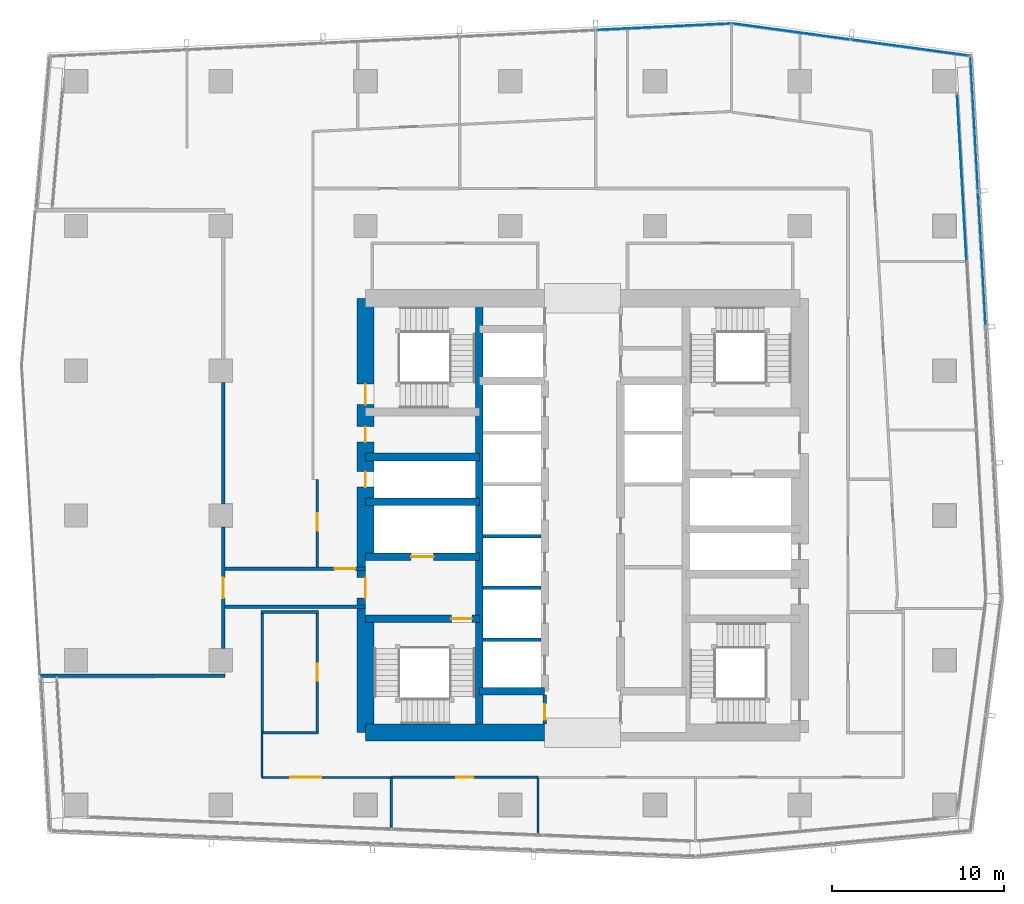
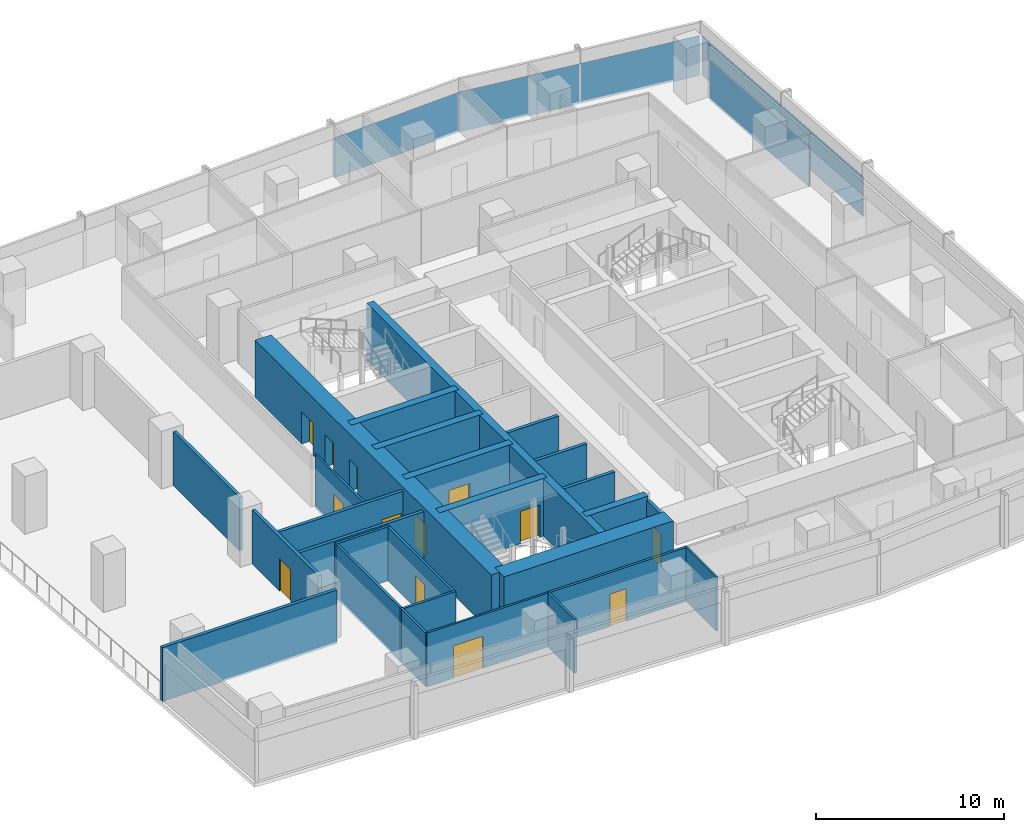
# One storey, part 24 of 35: 27 walls, 13 doors, 6 plates, 13 openings, 4 elements without a shape of their own.
"""IFC4 building model written with IfcOpenShell, lengths in metres."""

import ifcopenshell
import ifcopenshell.guid

model = None  # the IFC model being written
_history = None  # IfcOwnerHistory: only IFC2X3 demands one
_inside = {}  # id of a spatial element -> (the spatial element, [elements in it])
_under = {}  # id of a project, library or spatial element -> (it, [spatial elements below it])
_declared = {}  # id of a project -> (the project, [libraries it declares])
_typed = {}  # id of a type object -> (the type object, [elements of that type])
_made_of = {}  # id of a material, layer set ... -> (it, [elements and type objects made of it])


def new_model(schema):
    """Start an empty IFC model of exactly this schema.

    Asked for "IFC4X3", IfcOpenShell would pick the latest addendum, in which some entities
    have other attributes; the version numbers below select the first issue.
    IFC2X3 requires an IfcOwnerHistory on every rooted entity: one is made here for all.
    """
    global model, _history
    if schema == "IFC4X3":
        model = ifcopenshell.file(schema_version=(4, 3, 0, 0))
    else:
        model = ifcopenshell.file(schema=schema)
    _inside.clear()
    _under.clear()
    _declared.clear()
    _typed.clear()
    _made_of.clear()
    _history = None
    if model.schema == "IFC2X3":
        org = make("IfcOrganization", Name="unknown")
        user = make(
            "IfcPersonAndOrganization",
            ThePerson=make("IfcPerson", FamilyName="unknown"),
            TheOrganization=org,
        )
        app = make(
            "IfcApplication",
            ApplicationDeveloper=org,
            Version="unknown",
            ApplicationFullName="unknown",
            ApplicationIdentifier="unknown",
        )
        _history = make(
            "IfcOwnerHistory",
            OwningUser=user,
            OwningApplication=app,
            ChangeAction="ADDED",
            CreationDate=0,
        )
    return model


def make(cls, **values):
    """One entity of the class cls with the attributes given. An attribute that is None is left unset."""
    return model.create_entity(
        cls, **{name: value for name, value in values.items() if value is not None}
    )


def rooted(cls, **values):
    """An entity with a GlobalId (a new one), such as an element, a storey or a relation."""
    return make(cls, GlobalId=ifcopenshell.guid.new(), OwnerHistory=_history, **values)


def si_unit(unit_type, name, prefix=None):
    """IfcSIUnit, for example si_unit("LENGTHUNIT", "METRE", prefix="MILLI")."""
    return make("IfcSIUnit", UnitType=unit_type, Prefix=prefix, Name=name)


def assignment(units):
    """IfcUnitAssignment: the units of a project."""
    return None if units is None else make("IfcUnitAssignment", Units=units)


def point(xyz):
    """IfcCartesianPoint."""
    return None if xyz is None else make("IfcCartesianPoint", Coordinates=xyz)


def direction(xyz):
    """IfcDirection."""
    return None if xyz is None else make("IfcDirection", DirectionRatios=xyz)


def frame(location, z_axis=None, x_axis=None):
    """IfcAxis2Placement3D, a coordinate frame: its origin and axes. An axis left out is left unset."""
    return make(
        "IfcAxis2Placement3D",
        Location=point(location),
        Axis=direction(z_axis),
        RefDirection=direction(x_axis),
    )


def frame_2d(location, x_axis=None):
    """IfcAxis2Placement2D, a coordinate frame in the plane: its origin and x axis."""
    return make(
        "IfcAxis2Placement2D", Location=point(location), RefDirection=direction(x_axis)
    )


def origin():
    """The frame at (0, 0, 0) with its axes left unset."""
    return frame((0.0, 0.0, 0.0))


def origin_2d():
    """The frame at (0, 0) in the plane with its x axis left unset."""
    return frame_2d((0.0, 0.0))


def place(relative_to, where):
    """IfcLocalPlacement: puts the frame where relative to a parent placement (None: the world)."""
    return make(
        "IfcLocalPlacement", PlacementRelTo=relative_to, RelativePlacement=where
    )


def context(
    kind, dimensions, precision=None, world=None, true_north=None, identifier=None
):
    """IfcGeometricRepresentationContext, for example the 3D "Model" context."""
    return make(
        "IfcGeometricRepresentationContext",
        ContextIdentifier=identifier,
        ContextType=kind,
        CoordinateSpaceDimension=dimensions,
        Precision=precision,
        WorldCoordinateSystem=world,
        TrueNorth=true_north,
    )


def subcontext(parent, identifier, kind, view, scale=None):
    """IfcGeometricRepresentationSubContext, for example "Body" below "Model"."""
    return make(
        "IfcGeometricRepresentationSubContext",
        ContextIdentifier=identifier,
        ContextType=kind,
        ParentContext=parent,
        TargetScale=scale,
        TargetView=view,
    )


def project(units=None, contexts=None):
    """IfcProject with its units and contexts."""
    return rooted(
        "IfcProject",
        Name="project",
        RepresentationContexts=contexts,
        UnitsInContext=assignment(units),
    )


def spatial(cls, under=None, at=None, **own):
    """A site, building, storey or space (cls), placed at a placement, below another one or the project."""
    s = rooted(cls, ObjectPlacement=at, **own)
    if under is not None:
        _under.setdefault(under.id(), (under, []))[1].append(s)
    return s


def profile(cls, at=None, kind="AREA", **sizes):
    """A parametric profile (cls). Its sizes go by their IFC names, for example OverallWidth=200.0."""
    return make(cls, ProfileType=kind, Position=at, **sizes)


def rectangle(**sizes):
    """IfcRectangleProfileDef."""
    return profile("IfcRectangleProfileDef", **sizes)


def extrude(swept, where, along, depth):
    """IfcExtrudedAreaSolid: the profile swept, set in the frame where, extruded along a direction by depth."""
    return make(
        "IfcExtrudedAreaSolid",
        SweptArea=swept,
        Position=where,
        ExtrudedDirection=direction(along),
        Depth=depth,
    )


def shape(context_of_items, identifier, shape_type, items):
    """IfcShapeRepresentation: the items that make up one representation, for example the "Body"."""
    return make(
        "IfcShapeRepresentation",
        ContextOfItems=context_of_items,
        RepresentationIdentifier=identifier,
        RepresentationType=shape_type,
        Items=items,
    )


def material(Name=None, Category=None):
    """IfcMaterial."""
    return make("IfcMaterial", Name=Name, Category=Category)


def layer(
    of_material, thickness, ventilated=None, Name=None, Category=None, Priority=None
):
    """IfcMaterialLayer: one layer of a wall or slab, of a material (None: an air gap)."""
    return make(
        "IfcMaterialLayer",
        Material=of_material,
        LayerThickness=thickness,
        IsVentilated=ventilated,
        Name=Name,
        Category=Category,
        Priority=Priority,
    )


def layer_set(layers, Name=None):
    """IfcMaterialLayerSet."""
    return make("IfcMaterialLayerSet", MaterialLayers=layers, LayerSetName=Name)


def made_of(thing, what):
    """Note that an element or type object is made of a material, layer set ...; save() writes the relation."""
    if what is not None:
        _made_of.setdefault(what.id(), (what, []))[1].append(thing)
    return thing


def type_object(cls, material=None, **own):
    """A type object (cls), such as IfcWallType, which elements share."""
    return made_of(rooted(cls, **own), material)


def element(
    cls,
    number,
    at=None,
    inside=None,
    cuts=None,
    type_object=None,
    material=None,
    context=None,
    identifier="Body",
    shape_type=None,
    held_by="IfcProductDefinitionShape",
    body=None,
    shapes=None,
    **own,
):
    """One element of the class cls, such as IfcWall. Its Tag is "e" and its number.

    at: its placement. inside: the storey or other place that contains it. cuts: it is an
    opening in that element (IfcRelVoidsElement). A single representation is given by context,
    identifier, shape_type and body (its items); several are given by shapes. held_by: the class
    of the entity that holds the representations. save() writes the other relations.
    """
    e = rooted(cls, Tag="e%d" % number, ObjectPlacement=at, **own)
    if body is not None:
        shapes = [shape(context, identifier, shape_type, body)]
    if shapes is not None:
        e.Representation = make(held_by, Representations=shapes)
    if inside is not None:
        _inside.setdefault(inside.id(), (inside, []))[1].append(e)
    if cuts is not None:
        rooted(
            "IfcRelVoidsElement", RelatingBuildingElement=cuts, RelatedOpeningElement=e
        )
    if type_object is not None:
        _typed.setdefault(type_object.id(), (type_object, []))[1].append(e)
    return made_of(e, material)


def fill(opening, filler):
    """IfcRelFillsElement: the door or window that sits in an opening."""
    return rooted(
        "IfcRelFillsElement",
        RelatingOpeningElement=opening,
        RelatedBuildingElement=filler,
    )


def aggregate(whole, parts):
    """IfcRelAggregates: a whole, such as a stair, and the parts it consists of."""
    return rooted("IfcRelAggregates", RelatingObject=whole, RelatedObjects=parts)


def save(model, path):
    """Write the relations noted so far, then the file.

    IfcRelAggregates (storeys below a building ...), IfcRelContainedInSpatialStructure (elements
    in a storey), IfcRelDefinesByType, IfcRelAssociatesMaterial and IfcRelDeclares: one each for
    every whole, place, type object, material and project.
    """
    for whole, parts in _under.values():
        aggregate(whole, parts)
    for where, things in _inside.values():
        rooted(
            "IfcRelContainedInSpatialStructure",
            RelatedElements=things,
            RelatingStructure=where,
        )
    for kind, things in _typed.values():
        rooted("IfcRelDefinesByType", RelatedObjects=things, RelatingType=kind)
    for what, things in _made_of.values():
        rooted("IfcRelAssociatesMaterial", RelatedObjects=things, RelatingMaterial=what)
    for by, libraries in _declared.values():
        rooted("IfcRelDeclares", RelatingContext=by, RelatedDefinitions=libraries)
    model.write(path)


model = new_model("IFC4")

# Units and contexts
model_context = context("Model", 3, precision=1e-05, world=origin(), true_north=direction((0.0, 1.0)))
body_context = subcontext(model_context, "Body", "Model", "MODEL_VIEW")
ifc_project = project(units=[si_unit("LENGTHUNIT", "METRE"), si_unit("AREAUNIT", "SQUARE_METRE"), si_unit("VOLUMEUNIT", "CUBIC_METRE"), si_unit("PLANEANGLEUNIT", "RADIAN"), si_unit("MASSUNIT", "GRAM", prefix="KILO")], contexts=[model_context])

# Site, building, storey
site_placement = place(None, origin())
site = spatial("IfcSite", under=ifc_project, at=site_placement, CompositionType="ELEMENT")
building_placement = place(site_placement, origin())
building = spatial("IfcBuilding", under=site, at=building_placement, Name="Rekha Terrace Tower", CompositionType="ELEMENT")
storey_placement = place(building_placement, frame((0.0, 0.0, 191.449951171875)))
storey = spatial("IfcBuildingStorey", under=building, at=storey_placement, Name="L48", CompositionType="ELEMENT", Elevation=191.449951171875)

# Curtain wall, plate
ifc_material_1 = material(Name="Aluminium framing", Category="aluminium")
curtain_wall_type_1 = type_object("IfcCurtainWallType", Name="CW1 double skin inner glazing", PredefinedType="USERDEFINED", material=ifc_material_1)
curtain_wall_1_placement = place(storey_placement, origin())
curtain_wall_1 = element("IfcCurtainWall", 1, at=curtain_wall_1_placement, inside=storey, type_object=curtain_wall_type_1, Name="CW1 double skin inner glazing", ObjectType="DOUBLE SKIN INNER GLAZING", PredefinedType="USERDEFINED")
ifc_material_2 = material(Name="Double-glazed low-e unit 32", Category="glass")
ifc_layer_1 = layer(ifc_material_2, 0.031982421875)
ifc_layer_set_1 = layer_set([ifc_layer_1], Name="Double-glazed low-e unit 32")
plate_type_1 = type_object("IfcPlateType", Name="CW1 jumbo vision panel, double-glazed low-e unit 32", PredefinedType="CURTAIN_PANEL", material=ifc_layer_set_1)
plate_1_placement = place(storey_placement, frame((59.799560546875, 53.203369140625, 0.0), z_axis=(0.0, 0.0, 1.0), x_axis=(-0.05667319486, 0.998392782919, 0.0)))
plate_1 = element("IfcPlate", 2, at=plate_1_placement, type_object=plate_type_1, Name="CW1 panel 3.1", PredefinedType="CURTAIN_PANEL", context=body_context, shape_type="SweptSolid", body=[
    extrude(rectangle(XDim=9.694091796875, YDim=0.031982421875, at=origin_2d()), origin(), (0.0, 0.0, 1.0), 2.60009765625),
])
aggregate(curtain_wall_1, [plate_1])

# Curtain wall, plates
curtain_wall_type_2 = type_object("IfcCurtainWallType", Name="CW2 double skin outer glazing", PredefinedType="USERDEFINED", material=ifc_material_1)
curtain_wall_2_placement = place(storey_placement, origin())
curtain_wall_2 = element("IfcCurtainWall", 3, at=curtain_wall_2_placement, inside=storey, type_object=curtain_wall_type_2, Name="CW2 double skin outer glazing", ObjectType="DOUBLE SKIN OUTER GLAZING", PredefinedType="USERDEFINED")
ifc_material_3 = material(Name="Toughened single glazing 12", Category="glass")
ifc_layer_2 = layer(ifc_material_3, 0.011962890625)
ifc_layer_set_2 = layer_set([ifc_layer_2], Name="Toughened single glazing 12")
plate_type_2 = type_object("IfcPlateType", Name="CW2 jumbo vision panel, toughened single glazing 12", PredefinedType="CURTAIN_PANEL", material=ifc_layer_set_2)
plate_2_placement = place(storey_placement, frame((60.9697265625, 48.47314453125, 0.0), z_axis=(0.0, 0.0, 1.0), x_axis=(-0.05667319486, 0.998392782919, 0.0)))
plate_2 = element("IfcPlate", 4, at=plate_2_placement, type_object=plate_type_2, Name="CW2 panel 3.1", PredefinedType="CURTAIN_PANEL", context=body_context, shape_type="SweptSolid", body=[
    extrude(rectangle(XDim=7.823486328125, YDim=0.011962890625, at=origin_2d()), origin(), (0.0, 0.0, 1.0), 2.60009765625),
])
plate_3_placement = place(storey_placement, frame((60.522705078125, 56.343994140625, 0.0), z_axis=(0.0, 0.0, 1.0), x_axis=(-0.05667319486, 0.998392782919, 0.0)))
plate_3 = element("IfcPlate", 5, at=plate_3_placement, type_object=plate_type_2, Name="CW2 panel 4.1", PredefinedType="CURTAIN_PANEL", context=body_context, shape_type="SweptSolid", body=[
    extrude(rectangle(XDim=7.783447265625, YDim=0.011962890625, at=origin_2d()), origin(), (0.0, 0.0, 1.0), 2.60009765625),
])
aggregate(curtain_wall_2, [plate_2, plate_3])

curtain_wall_type_3 = type_object("IfcCurtainWallType", Name="CW3 north unitised glazing", PredefinedType="USERDEFINED", material=ifc_material_1)
curtain_wall_3_placement = place(storey_placement, origin())
curtain_wall_3 = element("IfcCurtainWall", 6, at=curtain_wall_3_placement, inside=storey, type_object=curtain_wall_type_3, Name="CW3 unitised curtain wall", ObjectType="UNITISED CURTAIN WALL", PredefinedType="USERDEFINED")
ifc_material_4 = material(Name="Double-glazed unit 28", Category="glass")
ifc_layer_3 = layer(ifc_material_4, 0.028076171875)
ifc_layer_set_3 = layer_set([ifc_layer_3], Name="Double-glazed unit 28")
plate_type_3 = type_object("IfcPlateType", Name="CW3 jumbo vision panel, double-glazed unit 28", PredefinedType="CURTAIN_PANEL", material=ifc_layer_set_3)
plate_4_placement = place(storey_placement, frame((56.797119140625, 60.745361328125, 0.0), z_axis=(0.0, 0.0, 1.0), x_axis=(-0.990867270504, 0.134840840416, 0.0)))
plate_4 = element("IfcPlate", 7, at=plate_4_placement, type_object=plate_type_3, Name="CW3 panel 1.1", PredefinedType="CURTAIN_PANEL", context=body_context, shape_type="SweptSolid", body=[
    extrude(rectangle(XDim=6.8486328125, YDim=0.028076171875, at=origin_2d()), origin(), (0.0, 0.0, 1.0), 2.60009765625),
])
plate_5_placement = place(storey_placement, frame((49.906982421875, 61.682861328125, 0.0), z_axis=(0.0, 0.0, 1.0), x_axis=(-0.990867270504, 0.134840840416, 0.0)))
plate_5 = element("IfcPlate", 8, at=plate_5_placement, type_object=plate_type_3, Name="CW3 panel 2.1", PredefinedType="CURTAIN_PANEL", context=body_context, shape_type="SweptSolid", body=[
    extrude(rectangle(XDim=6.918701171875, YDim=0.028076171875, at=origin_2d()), origin(), (0.0, 0.0, 1.0), 2.60009765625),
])
aggregate(curtain_wall_3, [plate_4, plate_5])

# Curtain wall, plate
curtain_wall_4_placement = place(storey_placement, origin())
curtain_wall_4 = element("IfcCurtainWall", 9, at=curtain_wall_4_placement, inside=storey, type_object=curtain_wall_type_3, Name="CW3 unitised curtain wall", ObjectType="UNITISED CURTAIN WALL", PredefinedType="USERDEFINED")
plate_6_placement = place(storey_placement, frame((42.50732421875, 61.95947265625, 0.0), z_axis=(0.0, 0.0, 1.0), x_axis=(-0.998858906204, -0.047758616983, 0.0)))
plate_6 = element("IfcPlate", 10, at=plate_6_placement, type_object=plate_type_3, Name="CW3 panel 1.1", PredefinedType="CURTAIN_PANEL", context=body_context, shape_type="SweptSolid", body=[
    extrude(rectangle(XDim=7.81298828125, YDim=0.028076171875, at=origin_2d()), origin(), (0.0, 0.0, 1.0), 2.60009765625),
])
aggregate(curtain_wall_4, [plate_6])

# Walls
ifc_material_5 = material(Name="Concrete M60", Category="concrete")
ifc_layer_4 = layer(ifc_material_5, 0.449951171875)
ifc_layer_set_4 = layer_set([ifc_layer_4], Name="Concrete M60")
wall_type_1 = type_object("IfcWallType", Name="CI3 450 core internal shear wall", PredefinedType="SHEAR", material=ifc_layer_set_4)
wall_1_placement = place(storey_placement, frame((31.800048828125, 21.0, 0.0), z_axis=(0.0, 0.0, 1.0), x_axis=(0.0, 1.0, 0.0)))
element("IfcWall", 11, at=wall_1_placement, inside=storey, type_object=wall_type_1, Name="Core wall X318 L48", PredefinedType="SHEAR", context=body_context, shape_type="SweptSolid", body=[
    extrude(rectangle(XDim=25.199951171875, YDim=0.449951171875, at=frame_2d((12.60009765625, 0.0))), origin(), (0.0, 0.0, 1.0), 3.75),
])
wall_2_placement = place(storey_placement, frame((31.800048828125, 23.39990234375, 0.0), z_axis=(0.0, 0.0, 1.0), x_axis=(1.0, 0.0, 0.0)))
element("IfcWall", 12, at=wall_2_placement, inside=storey, type_object=wall_type_1, Name="Core wall Y234W L48", PredefinedType="SHEAR", context=body_context, shape_type="SweptSolid", body=[
    extrude(rectangle(XDim=3.800048828125, YDim=0.449951171875, at=frame_2d((1.89990234375, 0.0))), origin(), (0.0, 0.0, 1.0), 3.75),
])

# Wall, opening, door
wall_3_placement = place(storey_placement, frame((25.199951171875, 27.60009765625, 0.0), z_axis=(0.0, 0.0, 1.0), x_axis=(1.0, 0.0, 0.0)))
wall_3 = element("IfcWall", 13, at=wall_3_placement, inside=storey, type_object=wall_type_1, Name="Core wall Y276W L48", PredefinedType="SHEAR", context=body_context, shape_type="SweptSolid", body=[
    extrude(rectangle(XDim=6.60009765625, YDim=0.449951171875, at=frame_2d((3.300048828125, 0.0))), origin(), (0.0, 0.0, 1.0), 3.75),
])
opening_1_placement = place(wall_3_placement, frame((4.97509765625, 0.0, 0.0)))
opening_1 = element("IfcOpeningElement", 14, at=opening_1_placement, cuts=wall_3, Name="Opening D1", PredefinedType="OPENING", context=body_context, shape_type="SweptSolid", body=[
    extrude(rectangle(XDim=1.199951171875, YDim=2.10009765625, at=frame_2d((0.60009765625, 1.050048828125))), frame((0.0, 0.23486328125, 0.0), z_axis=(0.0, -1.0, 0.0), x_axis=(1.0, 0.0, 0.0)), (0.0, 0.0, 1.0), 0.469970703125),
])
ifc_material_6 = material(Name="Steel fire door", Category="steel")
door_type_1 = type_object("IfcDoorType", Name="D1 1200x2100 stair fire door", OperationType="SINGLE_SWING_RIGHT", PredefinedType="DOOR", material=ifc_material_6)
door_1_placement = place(opening_1_placement, origin())
door_1 = element("IfcDoor", 15, at=door_1_placement, inside=storey, type_object=door_type_1, Name="Stair ST1 door L48", OperationType="SINGLE_SWING_RIGHT", OverallHeight=2.10009765625, OverallWidth=1.199951171875, PredefinedType="DOOR", context=body_context, shape_type="SweptSolid", body=[
    extrude(rectangle(XDim=1.199951171875, YDim=2.10009765625, at=frame_2d((0.60009765625, 1.050048828125))), frame((0.0, 0.02490234375, 0.0), z_axis=(0.0, -1.0, 0.0), x_axis=(1.0, 0.0, 0.0)), (0.0, 0.0, 1.0), 0.050048828125),
])
fill(opening_1, door_1)

wall_4_placement = place(storey_placement, frame((25.199951171875, 31.199951171875, 0.0), z_axis=(0.0, 0.0, 1.0), x_axis=(1.0, 0.0, 0.0)))
wall_4 = element("IfcWall", 16, at=wall_4_placement, inside=storey, type_object=wall_type_1, Name="Core wall Y312W L48", PredefinedType="SHEAR", context=body_context, shape_type="SweptSolid", body=[
    extrude(rectangle(XDim=6.60009765625, YDim=0.449951171875, at=frame_2d((3.300048828125, 0.0))), origin(), (0.0, 0.0, 1.0), 3.75),
])
opening_2_placement = place(wall_4_placement, frame((2.64990234375, 0.0, 0.0)))
opening_2 = element("IfcOpeningElement", 17, at=opening_2_placement, cuts=wall_4, Name="Opening LD2", PredefinedType="OPENING", context=body_context, shape_type="SweptSolid", body=[
    extrude(rectangle(XDim=1.300048828125, YDim=2.10009765625, at=frame_2d((0.64990234375, 1.050048828125))), frame((0.0, 0.23486328125, 0.0), z_axis=(0.0, -1.0, 0.0), x_axis=(1.0, 0.0, 0.0)), (0.0, 0.0, 1.0), 0.469970703125),
])
ifc_material_7 = material(Name="Stainless steel sliding landing door", Category="steel")
door_type_2 = type_object("IfcDoorType", Name="LD2 1300x2100 fire lift landing door", OperationType="SLIDING_TO_LEFT", PredefinedType="USERDEFINED", material=ifc_material_7)
door_2_placement = place(opening_2_placement, origin())
door_2 = element("IfcDoor", 18, at=door_2_placement, inside=storey, type_object=door_type_2, Name="Lift FL1 landing door L48", ObjectType="LIFT LANDING DOOR", OperationType="SLIDING_TO_LEFT", OverallHeight=2.10009765625, OverallWidth=1.300048828125, PredefinedType="USERDEFINED", context=body_context, shape_type="SweptSolid", body=[
    extrude(rectangle(XDim=1.300048828125, YDim=2.10009765625, at=frame_2d((0.64990234375, 1.050048828125))), frame((0.0, 0.02490234375, 0.0), z_axis=(0.0, -1.0, 0.0), x_axis=(1.0, 0.0, 0.0)), (0.0, 0.0, 1.0), 0.050048828125),
])
fill(opening_2, door_2)

# Walls
for number, where, z_axis, x_axis, name in (
    (19, (25.199951171875, 34.39990234375, 0.0), (0.0, 0.0, 1.0), (1.0, 0.0, 0.0), "Core wall Y344W L48"),
    (20, (25.199951171875, 37.0, 0.0), (0.0, 0.0, 1.0), (1.0, 0.0, 0.0), "Core wall Y370W L48"),
):
    element("IfcWall", number, at=place(storey_placement, frame(where, z_axis=z_axis, x_axis=x_axis)), inside=storey, type_object=wall_type_1, Name=name, PredefinedType="SHEAR", context=body_context, shape_type="SweptSolid", body=[
        extrude(rectangle(XDim=6.60009765625, YDim=0.449951171875, at=frame_2d((3.300048828125, 0.0))), origin(), (0.0, 0.0, 1.0), 3.75),
    ])
ifc_layer_5 = layer(ifc_material_5, 1.0)
ifc_layer_set_5 = layer_set([ifc_layer_5], Name="Concrete M60")
wall_type_2 = type_object("IfcWallType", Name="SW3 1000 core outer shear wall", PredefinedType="SHEAR", material=ifc_layer_set_5)
wall_5_placement = place(storey_placement, frame((25.199951171875, 21.0, 0.0), z_axis=(0.0, 0.0, 1.0), x_axis=(1.0, 0.0, 0.0)))
element("IfcWall", 21, at=wall_5_placement, inside=storey, type_object=wall_type_2, Name="Core wall S1 L48", PredefinedType="SHEAR", context=body_context, shape_type="SweptSolid", body=[
    extrude(rectangle(XDim=10.400146484375, YDim=1.0, at=frame_2d((5.2001953125, 0.0))), origin(), (0.0, 0.0, 1.0), 3.75),
])

# Wall, openings, doors
wall_6_placement = place(storey_placement, frame((25.199951171875, 21.0, 0.0), z_axis=(0.0, 0.0, 1.0), x_axis=(0.0, 1.0, 0.0)))
wall_6 = element("IfcWall", 22, at=wall_6_placement, inside=storey, type_object=wall_type_2, Name="Core wall W L48", PredefinedType="SHEAR", context=body_context, shape_type="SweptSolid", body=[
    extrude(rectangle(XDim=25.199951171875, YDim=1.0, at=frame_2d((12.60009765625, 0.0))), origin(), (0.0, 0.0, 1.0), 3.75),
])
opening_3_placement = place(wall_6_placement, frame((7.800048828125, 0.0, 0.0)))
opening_3 = element("IfcOpeningElement", 23, at=opening_3_placement, cuts=wall_6, Name="Opening D2", PredefinedType="OPENING", context=body_context, shape_type="SweptSolid", body=[
    extrude(rectangle(XDim=1.199951171875, YDim=2.10009765625, at=frame_2d((0.60009765625, 1.050048828125))), frame((0.0, 0.510009765625, 0.0), z_axis=(0.0, -1.0, 0.0), x_axis=(1.0, 0.0, 0.0)), (0.0, 0.0, 1.0), 1.02001953125),
])
opening_4_placement = place(wall_6_placement, frame((14.25, 0.0, 0.0)))
opening_4 = element("IfcOpeningElement", 24, at=opening_4_placement, cuts=wall_6, Name="Opening D5", PredefinedType="OPENING", context=body_context, shape_type="SweptSolid", body=[
    extrude(rectangle(XDim=0.89990234375, YDim=2.10009765625, at=frame_2d((0.449951171875, 1.050048828125))), frame((0.0, 0.510009765625, 0.0), z_axis=(0.0, -1.0, 0.0), x_axis=(1.0, 0.0, 0.0)), (0.0, 0.0, 1.0), 1.02001953125),
])
opening_5_placement = place(wall_6_placement, frame((16.85009765625, 0.0, 0.0)))
opening_5 = element("IfcOpeningElement", 25, at=opening_5_placement, cuts=wall_6, Name="Opening D5", PredefinedType="OPENING", context=body_context, shape_type="SweptSolid", body=[
    extrude(rectangle(XDim=0.89990234375, YDim=2.10009765625, at=frame_2d((0.449951171875, 1.050048828125))), frame((0.0, 0.510009765625, 0.0), z_axis=(0.0, -1.0, 0.0), x_axis=(1.0, 0.0, 0.0)), (0.0, 0.0, 1.0), 1.02001953125),
])
opening_6_placement = place(wall_6_placement, frame((19.02490234375, 0.0, 0.0)))
opening_6 = element("IfcOpeningElement", 26, at=opening_6_placement, cuts=wall_6, Name="Opening D1", PredefinedType="OPENING", context=body_context, shape_type="SweptSolid", body=[
    extrude(rectangle(XDim=1.199951171875, YDim=2.10009765625, at=frame_2d((0.60009765625, 1.050048828125))), frame((0.0, 0.510009765625, 0.0), z_axis=(0.0, -1.0, 0.0), x_axis=(1.0, 0.0, 0.0)), (0.0, 0.0, 1.0), 1.02001953125),
])
door_3_placement = place(opening_6_placement, origin())
door_3 = element("IfcDoor", 27, at=door_3_placement, inside=storey, type_object=door_type_1, Name="Stair ST4 door L48", OperationType="SINGLE_SWING_RIGHT", OverallHeight=2.10009765625, OverallWidth=1.199951171875, PredefinedType="DOOR", context=body_context, shape_type="SweptSolid", body=[
    extrude(rectangle(XDim=1.199951171875, YDim=2.10009765625, at=frame_2d((0.60009765625, 1.050048828125))), frame((0.0, 0.02490234375, 0.0), z_axis=(0.0, -1.0, 0.0), x_axis=(1.0, 0.0, 0.0)), (0.0, 0.0, 1.0), 0.050048828125),
])
fill(opening_6, door_3)
door_type_3 = type_object("IfcDoorType", Name="D2 1200x2100 firefighting lobby door", OperationType="SINGLE_SWING_LEFT", PredefinedType="DOOR", material=ifc_material_6)
door_4_placement = place(opening_3_placement, origin())
door_4 = element("IfcDoor", 28, at=door_4_placement, inside=storey, type_object=door_type_3, Name="Door flb1 L48", OperationType="SINGLE_SWING_LEFT", OverallHeight=2.10009765625, OverallWidth=1.199951171875, PredefinedType="DOOR", context=body_context, shape_type="SweptSolid", body=[
    extrude(rectangle(XDim=1.199951171875, YDim=2.10009765625, at=frame_2d((0.60009765625, 1.050048828125))), frame((0.0, 0.02490234375, 0.0), z_axis=(0.0, -1.0, 0.0), x_axis=(1.0, 0.0, 0.0)), (0.0, 0.0, 1.0), 0.050048828125),
])
fill(opening_3, door_4)
door_type_4 = type_object("IfcDoorType", Name="D5 900x2100 riser access door", OperationType="SINGLE_SWING_LEFT", PredefinedType="DOOR", material=ifc_material_6)
door_5_placement = place(opening_4_placement, origin())
door_5 = element("IfcDoor", 29, at=door_5_placement, inside=storey, type_object=door_type_4, Name="Door rs1 L48", OperationType="SINGLE_SWING_LEFT", OverallHeight=2.10009765625, OverallWidth=0.89990234375, PredefinedType="DOOR", context=body_context, shape_type="SweptSolid", body=[
    extrude(rectangle(XDim=0.89990234375, YDim=2.10009765625, at=frame_2d((0.449951171875, 1.050048828125))), frame((0.0, 0.02490234375, 0.0), z_axis=(0.0, -1.0, 0.0), x_axis=(1.0, 0.0, 0.0)), (0.0, 0.0, 1.0), 0.050048828125),
])
fill(opening_4, door_5)
door_6_placement = place(opening_5_placement, origin())
door_6 = element("IfcDoor", 30, at=door_6_placement, inside=storey, type_object=door_type_4, Name="Door elw L48", OperationType="SINGLE_SWING_LEFT", OverallHeight=2.10009765625, OverallWidth=0.89990234375, PredefinedType="DOOR", context=body_context, shape_type="SweptSolid", body=[
    extrude(rectangle(XDim=0.89990234375, YDim=2.10009765625, at=frame_2d((0.449951171875, 1.050048828125))), frame((0.0, 0.02490234375, 0.0), z_axis=(0.0, -1.0, 0.0), x_axis=(1.0, 0.0, 0.0)), (0.0, 0.0, 1.0), 0.050048828125),
])
fill(opening_5, door_6)

# Walls
ifc_material_8 = material(Name="Concrete block masonry, 1 hour", Category="masonry")
ifc_layer_6 = layer(ifc_material_8, 0.14990234375)
ifc_layer_set_6 = layer_set([ifc_layer_6], Name="Concrete block masonry, 1 hour")
wall_type_3 = type_object("IfcWallType", Name="WP2 150 tenancy partition", PredefinedType="PARTITIONING", material=ifc_layer_set_6)
for number, where, z_axis, x_axis, name in (
    (31, (19.125, 21.0, 0.0), (0.0, 0.0, 1.0), (1.0, 0.0, 0.0), "Men's WC wall L48"),
    (32, (19.125, 28.0, 0.0), (0.0, 0.0, 1.0), (1.0, 0.0, 0.0), "Men's WC wall L48"),
):
    element("IfcWall", number, at=place(storey_placement, frame(where, z_axis=z_axis, x_axis=x_axis)), inside=storey, type_object=wall_type_3, Name=name, PredefinedType="PARTITIONING", context=body_context, shape_type="SweptSolid", body=[
        extrude(rectangle(XDim=3.35009765625, YDim=0.14990234375, at=frame_2d((1.675048828125, 0.0))), origin(), (0.0, 0.0, 1.0), 3.5),
    ])
wall_7_placement = place(storey_placement, frame((19.199951171875, 21.074951171875, 0.0), z_axis=(0.0, 0.0, 1.0), x_axis=(0.0, 1.0, 0.0)))
element("IfcWall", 33, at=wall_7_placement, inside=storey, type_object=wall_type_3, Name="Men's WC wall L48", PredefinedType="PARTITIONING", context=body_context, shape_type="SweptSolid", body=[
    extrude(rectangle(XDim=6.85009765625, YDim=0.14990234375, at=frame_2d((3.425048828125, 0.0))), origin(), (0.0, 0.0, 1.0), 3.5),
])

# Wall, opening, door
wall_8_placement = place(storey_placement, frame((22.39990234375, 21.074951171875, 0.0), z_axis=(0.0, 0.0, 1.0), x_axis=(0.0, 1.0, 0.0)))
wall_8 = element("IfcWall", 34, at=wall_8_placement, inside=storey, type_object=wall_type_3, Name="Men's WC wall L48", PredefinedType="PARTITIONING", context=body_context, shape_type="SweptSolid", body=[
    extrude(rectangle(XDim=6.85009765625, YDim=0.14990234375, at=frame_2d((3.425048828125, 0.0))), origin(), (0.0, 0.0, 1.0), 3.5),
])
opening_7_placement = place(wall_8_placement, frame((2.925048828125, 0.0, 0.0)))
opening_7 = element("IfcOpeningElement", 35, at=opening_7_placement, cuts=wall_8, Name="Opening D3", PredefinedType="OPENING", context=body_context, shape_type="SweptSolid", body=[
    extrude(rectangle(XDim=1.0, YDim=2.10009765625, at=frame_2d((0.5, 1.050048828125))), frame((0.0, 0.0849609375, 0.0), z_axis=(0.0, -1.0, 0.0), x_axis=(1.0, 0.0, 0.0)), (0.0, 0.0, 1.0), 0.169921875),
])
ifc_material_9 = material(Name="Laminated timber fire door", Category="wood")
door_type_5 = type_object("IfcDoorType", Name="D3 1000x2100 WC door", OperationType="SINGLE_SWING_LEFT", PredefinedType="DOOR", material=ifc_material_9)
door_7_placement = place(opening_7_placement, origin())
door_7 = element("IfcDoor", 36, at=door_7_placement, inside=storey, type_object=door_type_5, Name="Door men's wc L48", OperationType="SINGLE_SWING_LEFT", OverallHeight=2.10009765625, OverallWidth=1.0, PredefinedType="DOOR", context=body_context, shape_type="SweptSolid", body=[
    extrude(rectangle(XDim=1.0, YDim=2.10009765625, at=frame_2d((0.5, 1.050048828125))), frame((0.0, 0.02490234375, 0.0), z_axis=(0.0, -1.0, 0.0), x_axis=(1.0, 0.0, 0.0)), (0.0, 0.0, 1.0), 0.050048828125),
])
fill(opening_7, door_7)

# Wall
wall_9_placement = place(storey_placement, frame((26.7041015625, 15.4951171875, 0.0), z_axis=(0.0, 0.0, 1.0), x_axis=(0.0, 1.0, 0.0)))
element("IfcWall", 37, at=wall_9_placement, inside=storey, type_object=wall_type_3, Name="Partition L48-O1c", PredefinedType="PARTITIONING", context=body_context, shape_type="SweptSolid", body=[
    extrude(rectangle(XDim=2.90478515625, YDim=0.14990234375, at=frame_2d((1.452392578125, 0.0))), origin(), (0.0, 0.0, 1.0), 3.5),
])

# Wall, opening, door
wall_10_placement = place(storey_placement, frame((26.7041015625, 18.39990234375, 0.0), z_axis=(0.0, 0.0, 1.0), x_axis=(1.0, 0.0, 0.0)))
wall_10 = element("IfcWall", 38, at=wall_10_placement, inside=storey, type_object=wall_type_3, Name="Partition L48-O1c", PredefinedType="PARTITIONING", context=body_context, shape_type="SweptSolid", body=[
    extrude(rectangle(XDim=8.494873046875, YDim=0.14990234375, at=frame_2d((4.24755859375, 0.0))), origin(), (0.0, 0.0, 1.0), 3.5),
])
opening_8_placement = place(wall_10_placement, frame((3.7470703125, 0.0, 0.0)))
opening_8 = element("IfcOpeningElement", 39, at=opening_8_placement, cuts=wall_10, Name="Opening D9", PredefinedType="OPENING", context=body_context, shape_type="SweptSolid", body=[
    extrude(rectangle(XDim=1.0, YDim=2.10009765625, at=frame_2d((0.5, 1.050048828125))), frame((0.0, 0.0849609375, 0.0), z_axis=(0.0, -1.0, 0.0), x_axis=(1.0, 0.0, 0.0)), (0.0, 0.0, 1.0), 0.169921875),
])
ifc_material_10 = material(Name="Timber fire door", Category="wood")
door_type_6 = type_object("IfcDoorType", Name="D9 1000x2100 office door", OperationType="SINGLE_SWING_LEFT", PredefinedType="DOOR", material=ifc_material_10)
door_8_placement = place(opening_8_placement, origin())
door_8 = element("IfcDoor", 40, at=door_8_placement, inside=storey, type_object=door_type_6, Name="Door open-plan office L48", OperationType="SINGLE_SWING_LEFT", OverallHeight=2.10009765625, OverallWidth=1.0, PredefinedType="DOOR", context=body_context, shape_type="SweptSolid", body=[
    extrude(rectangle(XDim=1.0, YDim=2.10009765625, at=frame_2d((0.5, 1.050048828125))), frame((0.0, 0.02490234375, 0.0), z_axis=(0.0, -1.0, 0.0), x_axis=(1.0, 0.0, 0.0)), (0.0, 0.0, 1.0), 0.050048828125),
])
fill(opening_8, door_8)

# Wall
ifc_material_11 = material(Name="Two layers of fire-rated gypsum board each side on steel studs, acoustic quilt, 1 hour", Category="steel")
ifc_layer_7 = layer(ifc_material_11, 0.125)
ifc_layer_set_7 = layer_set([ifc_layer_7], Name="Two layers of fire-rated gypsum board each side on steel studs, acoustic quilt, 1 hour")
wall_type_4 = type_object("IfcWallType", Name="WP3 125 office partition", PredefinedType="PARTITIONING", material=ifc_layer_set_7)
wall_11_placement = place(storey_placement, frame((35.198974609375, 15.1259765625, 0.0), z_axis=(0.0, 0.0, 1.0), x_axis=(0.0, 1.0, 0.0)))
element("IfcWall", 41, at=wall_11_placement, inside=storey, type_object=wall_type_4, Name="Partition L48-02", PredefinedType="PARTITIONING", context=body_context, shape_type="SweptSolid", body=[
    extrude(rectangle(XDim=3.27392578125, YDim=0.125, at=frame_2d((1.636962890625, 0.0))), origin(), (0.0, 0.0, 1.0), 3.5),
])

# Wall, opening, door
wall_12_placement = place(storey_placement, frame((22.39990234375, 35.700927734375, 0.0), z_axis=(0.0, 0.0, 1.0), x_axis=(0.0, -1.0, 0.0)))
wall_12 = element("IfcWall", 42, at=wall_12_placement, inside=storey, type_object=wall_type_4, Name="Partition L48-11", PredefinedType="PARTITIONING", context=body_context, shape_type="SweptSolid", body=[
    extrude(rectangle(XDim=5.08984375, YDim=0.125, at=frame_2d((2.544921875, 0.0))), origin(), (0.0, 0.0, 1.0), 3.5),
])
opening_9_placement = place(wall_12_placement, frame((1.97509765625, 0.0, 0.0)))
opening_9 = element("IfcOpeningElement", 43, at=opening_9_placement, cuts=wall_12, Name="Opening D9", PredefinedType="OPENING", context=body_context, shape_type="SweptSolid", body=[
    extrude(rectangle(XDim=1.0, YDim=2.10009765625, at=frame_2d((0.5, 1.050048828125))), frame((0.0, 0.072509765625, 0.0), z_axis=(0.0, -1.0, 0.0), x_axis=(1.0, 0.0, 0.0)), (0.0, 0.0, 1.0), 0.14501953125),
])
door_9_placement = place(opening_9_placement, origin())
door_9 = element("IfcDoor", 44, at=door_9_placement, inside=storey, type_object=door_type_6, Name="Door director's office L48", OperationType="SINGLE_SWING_LEFT", OverallHeight=2.10009765625, OverallWidth=1.0, PredefinedType="DOOR", context=body_context, shape_type="SweptSolid", body=[
    extrude(rectangle(XDim=1.0, YDim=2.10009765625, at=frame_2d((0.5, 1.050048828125))), frame((0.0, 0.02490234375, 0.0), z_axis=(0.0, -1.0, 0.0), x_axis=(1.0, 0.0, 0.0)), (0.0, 0.0, 1.0), 0.050048828125),
])
fill(opening_9, door_9)

# Wall
wall_13_placement = place(storey_placement, frame((19.199951171875, 21.074951171875, 0.0), z_axis=(0.0, 0.0, 1.0), x_axis=(0.0, -1.0, 0.0)))
element("IfcWall", 45, at=wall_13_placement, inside=storey, type_object=wall_type_4, Name="Partition L48-13", PredefinedType="PARTITIONING", context=body_context, shape_type="SweptSolid", body=[
    extrude(rectangle(XDim=2.675048828125, YDim=0.125, at=frame_2d((1.33740234375, 0.0))), origin(), (0.0, 0.0, 1.0), 3.5),
])

# Wall, opening, door
wall_14_placement = place(storey_placement, frame((19.199951171875, 18.39990234375, 0.0), z_axis=(0.0, 0.0, 1.0), x_axis=(1.0, 0.0, 0.0)))
wall_14 = element("IfcWall", 46, at=wall_14_placement, inside=storey, type_object=wall_type_4, Name="Partition L48-13", PredefinedType="PARTITIONING", context=body_context, shape_type="SweptSolid", body=[
    extrude(rectangle(XDim=7.5029296875, YDim=0.125, at=frame_2d((3.75146484375, 0.0))), origin(), (0.0, 0.0, 1.0), 3.5),
])
opening_10_placement = place(wall_14_placement, frame((1.64404296875, 0.0, 0.0)))
opening_10 = element("IfcOpeningElement", 47, at=opening_10_placement, cuts=wall_14, Name="Opening D8", PredefinedType="OPENING", context=body_context, shape_type="SweptSolid", body=[
    extrude(rectangle(XDim=1.800048828125, YDim=2.10009765625, at=frame_2d((0.89990234375, 1.050048828125))), frame((0.0, 0.072509765625, 0.0), z_axis=(0.0, -1.0, 0.0), x_axis=(1.0, 0.0, 0.0)), (0.0, 0.0, 1.0), 0.14501953125),
])
door_type_7 = type_object("IfcDoorType", Name="D8 1800x2100 double leaf door", OperationType="DOUBLE_DOOR_SINGLE_SWING", PredefinedType="DOOR", material=ifc_material_10)
door_10_placement = place(opening_10_placement, origin())
door_10 = element("IfcDoor", 48, at=door_10_placement, inside=storey, type_object=door_type_7, Name="Door meeting room L48", OperationType="DOUBLE_DOOR_SINGLE_SWING", OverallHeight=2.10009765625, OverallWidth=1.800048828125, PredefinedType="DOOR", context=body_context, shape_type="SweptSolid", body=[
    extrude(rectangle(XDim=1.800048828125, YDim=2.10009765625, at=frame_2d((0.89990234375, 1.050048828125))), frame((0.0, 0.02490234375, 0.0), z_axis=(0.0, -1.0, 0.0), x_axis=(1.0, 0.0, 0.0)), (0.0, 0.0, 1.0), 0.050048828125),
])
fill(opening_10, door_10)

# Walls
ifc_material_12 = material(Name="Solid concrete block masonry, 2 hour", Category="masonry")
ifc_layer_8 = layer(ifc_material_12, 0.199951171875)
ifc_layer_set_8 = layer_set([ifc_layer_8], Name="Solid concrete block masonry, 2 hour")
wall_type_5 = type_object("IfcWallType", Name="WS1 200 stair and shaft enclosure", PredefinedType="PARTITIONING", material=ifc_layer_set_8)
for number, where, z_axis, x_axis, name in (
    (49, (32.02490234375, 26.39990234375, 0.0), (0.0, 0.0, 1.0), (1.0, 0.0, 0.0), "Lift shaft divider L48"),
    (50, (32.02490234375, 29.39990234375, 0.0), (0.0, 0.0, 1.0), (1.0, 0.0, 0.0), "Lift shaft divider L48"),
    (51, (32.02490234375, 32.39990234375, 0.0), (0.0, 0.0, 1.0), (1.0, 0.0, 0.0), "Lift shaft divider L48"),
):
    element("IfcWall", number, at=place(storey_placement, frame(where, z_axis=z_axis, x_axis=x_axis)), inside=storey, type_object=wall_type_5, Name=name, PredefinedType="PARTITIONING", context=body_context, shape_type="SweptSolid", body=[
        extrude(rectangle(XDim=3.35009765625, YDim=0.199951171875, at=frame_2d((1.675048828125, 0.0))), origin(), (0.0, 0.0, 1.0), 3.5),
    ])

# Wall, opening, door
wall_15_placement = place(storey_placement, frame((35.60009765625, 21.5, 0.0), z_axis=(0.0, 0.0, 1.0), x_axis=(0.0, 1.0, 0.0)))
wall_15 = element("IfcWall", 52, at=wall_15_placement, inside=storey, type_object=wall_type_5, Name="Core partition west L48", PredefinedType="PARTITIONING", context=body_context, shape_type="SweptSolid", body=[
    extrude(rectangle(XDim=1.675048828125, YDim=0.199951171875, at=frame_2d((0.83740234375, 0.0))), origin(), (0.0, 0.0, 1.0), 3.5),
])
opening_11_placement = place(wall_15_placement, frame((0.25, 0.0, 0.0)))
opening_11 = element("IfcOpeningElement", 53, at=opening_11_placement, cuts=wall_15, Name="Opening D5", PredefinedType="OPENING", context=body_context, shape_type="SweptSolid", body=[
    extrude(rectangle(XDim=0.89990234375, YDim=2.10009765625, at=frame_2d((0.449951171875, 1.050048828125))), frame((0.0, 0.10986328125, 0.0), z_axis=(0.0, -1.0, 0.0), x_axis=(1.0, 0.0, 0.0)), (0.0, 0.0, 1.0), 0.219970703125),
])
door_11_placement = place(opening_11_placement, origin())
door_11 = element("IfcDoor", 54, at=door_11_placement, inside=storey, type_object=door_type_4, Name="Door cleaner's store L48", OperationType="SINGLE_SWING_LEFT", OverallHeight=2.10009765625, OverallWidth=0.89990234375, PredefinedType="DOOR", context=body_context, shape_type="SweptSolid", body=[
    extrude(rectangle(XDim=0.89990234375, YDim=2.10009765625, at=frame_2d((0.449951171875, 1.050048828125))), frame((0.0, 0.02490234375, 0.0), z_axis=(0.0, -1.0, 0.0), x_axis=(1.0, 0.0, 0.0)), (0.0, 0.0, 1.0), 0.050048828125),
])
fill(opening_11, door_11)

wall_16_placement = place(storey_placement, frame((16.949951171875, 25.875, 0.0), z_axis=(0.0, 0.0, 1.0), x_axis=(0.0, 1.0, 0.0)))
wall_16 = element("IfcWall", 55, at=wall_16_placement, inside=storey, type_object=wall_type_5, Name="Refuge area inner wall L48", PredefinedType="PARTITIONING", context=body_context, shape_type="SweptSolid", body=[
    extrude(rectangle(XDim=7.050048828125, YDim=0.199951171875, at=frame_2d((3.52490234375, 0.0))), origin(), (0.0, 0.0, 1.0), 3.5),
])
opening_12_placement = place(wall_16_placement, frame((2.925048828125, 0.0, 0.0)))
opening_12 = element("IfcOpeningElement", 56, at=opening_12_placement, cuts=wall_16, Name="Opening D2", PredefinedType="OPENING", context=body_context, shape_type="SweptSolid", body=[
    extrude(rectangle(XDim=1.199951171875, YDim=2.10009765625, at=frame_2d((0.60009765625, 1.050048828125))), frame((0.0, 0.10986328125, 0.0), z_axis=(0.0, -1.0, 0.0), x_axis=(1.0, 0.0, 0.0)), (0.0, 0.0, 1.0), 0.219970703125),
])
door_12_placement = place(opening_12_placement, origin())
door_12 = element("IfcDoor", 57, at=door_12_placement, inside=storey, type_object=door_type_3, Name="Refuge area door L48", OperationType="SINGLE_SWING_LEFT", OverallHeight=2.10009765625, OverallWidth=1.199951171875, PredefinedType="DOOR", context=body_context, shape_type="SweptSolid", body=[
    extrude(rectangle(XDim=1.199951171875, YDim=2.10009765625, at=frame_2d((0.60009765625, 1.050048828125))), frame((0.0, 0.02490234375, 0.0), z_axis=(0.0, -1.0, 0.0), x_axis=(1.0, 0.0, 0.0)), (0.0, 0.0, 1.0), 0.050048828125),
])
fill(opening_12, door_12)

# Walls
wall_17_placement = place(storey_placement, frame((16.949951171875, 34.27490234375, 0.0), z_axis=(0.0, 0.0, 1.0), x_axis=(0.0, 1.0, 0.0)))
element("IfcWall", 58, at=wall_17_placement, inside=storey, type_object=wall_type_5, Name="Refuge area inner wall L48", PredefinedType="PARTITIONING", context=body_context, shape_type="SweptSolid", body=[
    extrude(rectangle(XDim=7.050048828125, YDim=0.199951171875, at=frame_2d((3.52490234375, 0.0))), origin(), (0.0, 0.0, 1.0), 3.5),
])
wall_18_placement = place(storey_placement, frame((6.31103515625, 24.31201171875, 0.0), z_axis=(0.0, 0.0, 1.0), x_axis=(1.0, 0.0, 0.0)))
element("IfcWall", 59, at=wall_18_placement, inside=storey, type_object=wall_type_5, Name="Refuge area south wall L48", PredefinedType="PARTITIONING", context=body_context, shape_type="SweptSolid", body=[
    extrude(rectangle(XDim=10.739013671875, YDim=0.199951171875, at=frame_2d((5.36962890625, 0.0))), origin(), (0.0, 0.0, 1.0), 3.5),
])

# Wall, opening, door
wall_19_placement = place(storey_placement, frame((16.949951171875, 30.5, 0.0), z_axis=(0.0, 0.0, 1.0), x_axis=(1.0, 0.0, 0.0)))
wall_19 = element("IfcWall", 60, at=wall_19_placement, inside=storey, type_object=wall_type_5, Name="Refuge corridor north wall L48", PredefinedType="PARTITIONING", context=body_context, shape_type="SweptSolid", body=[
    extrude(rectangle(XDim=8.25, YDim=0.199951171875, at=frame_2d((4.125, 0.0))), origin(), (0.0, 0.0, 1.0), 3.5),
])
opening_13_placement = place(wall_19_placement, frame((6.449951171875, 0.0, 0.0)))
opening_13 = element("IfcOpeningElement", 61, at=opening_13_placement, cuts=wall_19, Name="Opening D2", PredefinedType="OPENING", context=body_context, shape_type="SweptSolid", body=[
    extrude(rectangle(XDim=1.199951171875, YDim=2.10009765625, at=frame_2d((0.60009765625, 1.050048828125))), frame((0.0, 0.10986328125, 0.0), z_axis=(0.0, -1.0, 0.0), x_axis=(1.0, 0.0, 0.0)), (0.0, 0.0, 1.0), 0.219970703125),
])
door_13_placement = place(opening_13_placement, origin())
door_13 = element("IfcDoor", 62, at=door_13_placement, inside=storey, type_object=door_type_3, Name="Refuge corridor door L48", OperationType="SINGLE_SWING_LEFT", OverallHeight=2.10009765625, OverallWidth=1.199951171875, PredefinedType="DOOR", context=body_context, shape_type="SweptSolid", body=[
    extrude(rectangle(XDim=1.199951171875, YDim=2.10009765625, at=frame_2d((0.60009765625, 1.050048828125))), frame((0.0, 0.02490234375, 0.0), z_axis=(0.0, -1.0, 0.0), x_axis=(1.0, 0.0, 0.0)), (0.0, 0.0, 1.0), 0.050048828125),
])
fill(opening_13, door_13)

# Wall
wall_20_placement = place(storey_placement, frame((16.949951171875, 28.300048828125, 0.0), z_axis=(0.0, 0.0, 1.0), x_axis=(1.0, 0.0, 0.0)))
element("IfcWall", 63, at=wall_20_placement, inside=storey, type_object=wall_type_5, Name="Refuge corridor south wall L48", PredefinedType="PARTITIONING", context=body_context, shape_type="SweptSolid", body=[
    extrude(rectangle(XDim=8.25, YDim=0.199951171875, at=frame_2d((4.125, 0.0))), origin(), (0.0, 0.0, 1.0), 3.5),
])

save(model, "model.ifc")
